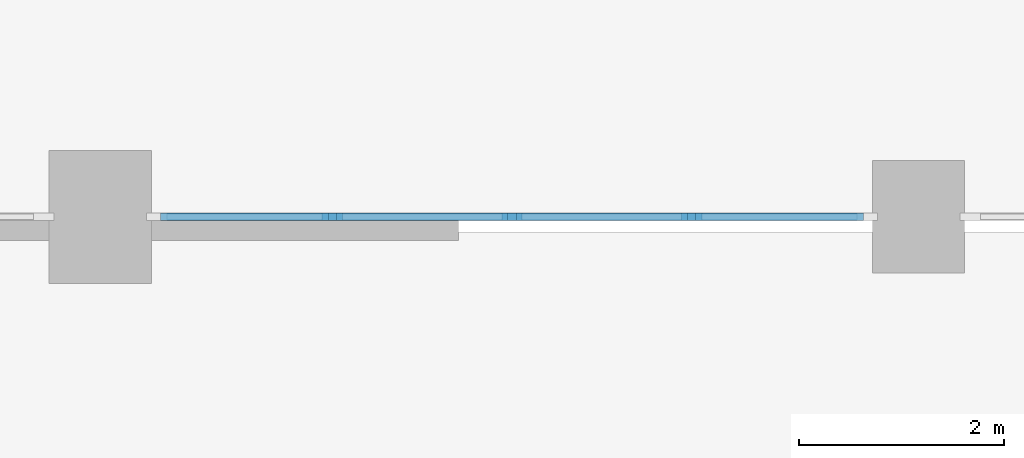
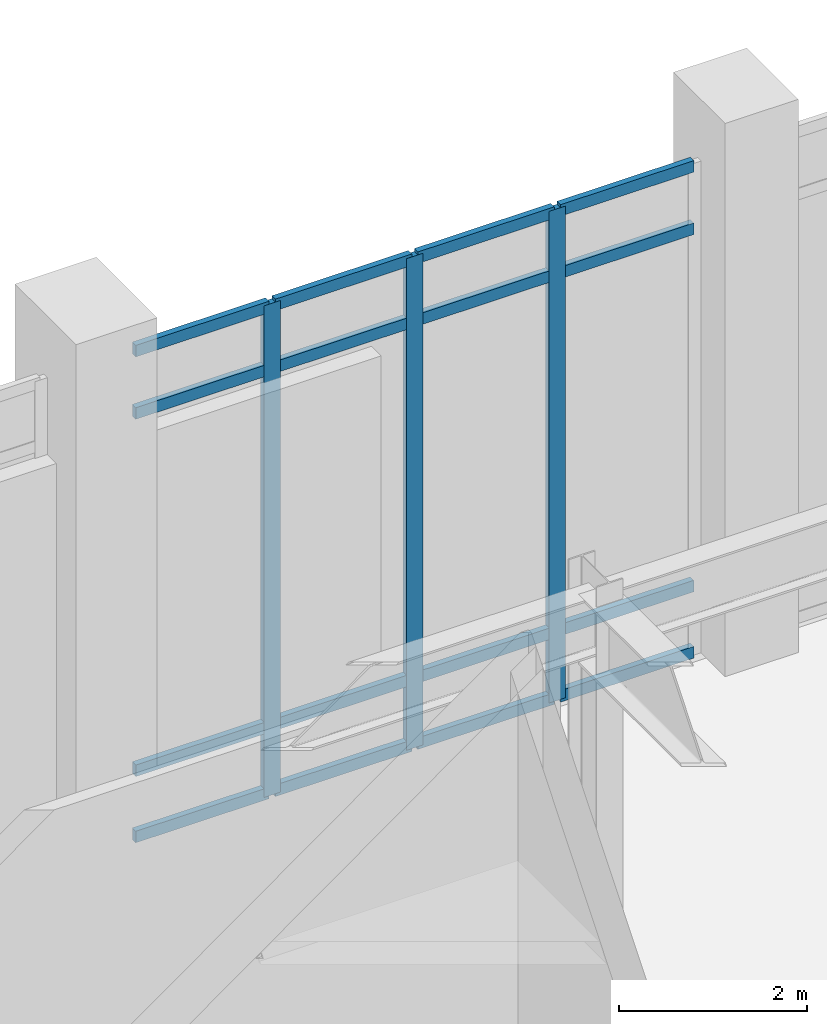
# One storey, part 32 of 84: 19 members, 1 element without a shape of its own.
"""IFC4 building model written with IfcOpenShell, lengths in metres."""

from ifc_helpers import new_model, si_unit, direction, frame, origin, origin_2d, place, context, subcontext, project, spatial, rectangle, extrude, material, layer, layer_set, material_profile, profile_set, type_object, element, aggregate, save


model = new_model("IFC4")

# Units and contexts
model_context = context("Model", 3, precision=1e-05, world=origin(), true_north=direction((0.0, 1.0)))
body_context = subcontext(model_context, "Body", "Model", "MODEL_VIEW")
ifc_project = project(units=[si_unit("LENGTHUNIT", "METRE"), si_unit("AREAUNIT", "SQUARE_METRE"), si_unit("VOLUMEUNIT", "CUBIC_METRE"), si_unit("PLANEANGLEUNIT", "RADIAN"), si_unit("MASSUNIT", "GRAM", prefix="KILO")], contexts=[model_context])

# Site, building, storey
site_placement = place(None, origin())
site = spatial("IfcSite", under=ifc_project, at=site_placement, CompositionType="ELEMENT")
building_placement = place(site_placement, origin())
building = spatial("IfcBuilding", under=site, at=building_placement, Name="Tlacozan Convention Centre", CompositionType="ELEMENT")
storey_placement = place(building_placement, frame((0.0, 0.0, 6.0)))
storey = spatial("IfcBuildingStorey", under=building, at=storey_placement, Name="L01", CompositionType="ELEMENT", Elevation=6.0)

# Curtain wall, members
ifc_material = material(Name="Dark Bronze Anodised Aluminium", Category="aluminium")
ifc_layer = layer(ifc_material, 0.199951171875)
ifc_layer_set = layer_set([ifc_layer], Name="Dark Bronze Anodised Aluminium")
curtain_wall_type = type_object("IfcCurtainWallType", Name="Exhibition Clerestory Curtain Wall CW10", PredefinedType="NOTDEFINED", material=ifc_layer_set)
curtain_wall_placement = place(storey_placement, origin())
curtain_wall = element("IfcCurtainWall", 1, at=curtain_wall_placement, inside=storey, type_object=curtain_wall_type, Name="L01 CW-10 Run 24", PredefinedType="NOTDEFINED")
ifc_material_profile_1 = material_profile(ifc_material, rectangle(XDim=0.074951171875, YDim=0.199951171875, at=origin_2d()), Name="ALU 75x200")
ifc_profile_set_1 = profile_set([ifc_material_profile_1], Name="Dark Bronze Anodised Aluminium")
member_type_1 = type_object("IfcMemberType", Name="Curtain Wall Heavy Mullion 75x200", PredefinedType="MULLION", material=ifc_profile_set_1)
member_1_placement = place(storey_placement, frame((122.27001953125, 62.0, 0.0), z_axis=(0.0, 0.0, 1.0), x_axis=(0.0, 1.0, 0.0)))
member_1 = element("IfcMember", 2, at=member_1_placement, type_object=member_type_1, Name="CW-10 mullion 2", PredefinedType="MULLION", context=body_context, shape_type="SweptSolid", body=[
    extrude(rectangle(XDim=0.074951171875, YDim=0.199951171875, at=origin_2d()), origin(), (0.0, 0.0, 1.0), 6.39990234375),
])
member_2_placement = place(storey_placement, frame((124.02490234375, 62.0, 0.0), z_axis=(0.0, 0.0, 1.0), x_axis=(0.0, 1.0, 0.0)))
member_2 = element("IfcMember", 3, at=member_2_placement, type_object=member_type_1, Name="CW-10 mullion 3", PredefinedType="MULLION", context=body_context, shape_type="SweptSolid", body=[
    extrude(rectangle(XDim=0.074951171875, YDim=0.199951171875, at=origin_2d()), origin(), (0.0, 0.0, 1.0), 6.39990234375),
])
member_3_placement = place(storey_placement, frame((125.780029296875, 62.0, 0.0), z_axis=(0.0, 0.0, 1.0), x_axis=(0.0, 1.0, 0.0)))
member_3 = element("IfcMember", 4, at=member_3_placement, type_object=member_type_1, Name="CW-10 mullion 4", PredefinedType="MULLION", context=body_context, shape_type="SweptSolid", body=[
    extrude(rectangle(XDim=0.074951171875, YDim=0.199951171875, at=origin_2d()), origin(), (0.0, 0.0, 1.0), 6.39990234375),
])
ifc_material_profile_2 = material_profile(ifc_material, rectangle(XDim=0.074951171875, YDim=0.14990234375, at=origin_2d()), Name="ALU 75x150")
ifc_profile_set_2 = profile_set([ifc_material_profile_2], Name="Dark Bronze Anodised Aluminium")
member_type_2 = type_object("IfcMemberType", Name="Curtain Wall Heavy Transom 75x150", PredefinedType="USERDEFINED", material=ifc_profile_set_2)
member_4_placement = place(storey_placement, frame((120.590087890625, 62.0, 0.03759765625), z_axis=(1.0, 0.0, 0.0), x_axis=(0.0, 1.0, 0.0)))
member_4 = element("IfcMember", 5, at=member_4_placement, type_object=member_type_2, Name="CW-10 transom 1.1", ObjectType="TRANSOM", PredefinedType="USERDEFINED", context=body_context, shape_type="SweptSolid", body=[
    extrude(rectangle(XDim=0.074951171875, YDim=0.14990234375, at=origin_2d()), origin(), (0.0, 0.0, 1.0), 1.642333984375),
])
member_5_placement = place(storey_placement, frame((120.590087890625, 62.0, 0.89990234375), z_axis=(1.0, 0.0, 0.0), x_axis=(0.0, 1.0, 0.0)))
member_5 = element("IfcMember", 6, at=member_5_placement, type_object=member_type_2, Name="CW-10 transom 1.2", ObjectType="TRANSOM", PredefinedType="USERDEFINED", context=body_context, shape_type="SweptSolid", body=[
    extrude(rectangle(XDim=0.074951171875, YDim=0.14990234375, at=origin_2d()), origin(), (0.0, 0.0, 1.0), 1.642333984375),
])
member_6_placement = place(storey_placement, frame((120.590087890625, 62.0, 5.550048828125), z_axis=(1.0, 0.0, 0.0), x_axis=(0.0, 1.0, 0.0)))
member_6 = element("IfcMember", 7, at=member_6_placement, type_object=member_type_2, Name="CW-10 transom 1.3", ObjectType="TRANSOM", PredefinedType="USERDEFINED", context=body_context, shape_type="SweptSolid", body=[
    extrude(rectangle(XDim=0.074951171875, YDim=0.14990234375, at=origin_2d()), origin(), (0.0, 0.0, 1.0), 1.642333984375),
])
member_7_placement = place(storey_placement, frame((120.590087890625, 62.0, 6.362548828125), z_axis=(1.0, 0.0, 0.0), x_axis=(0.0, 1.0, 0.0)))
member_7 = element("IfcMember", 8, at=member_7_placement, type_object=member_type_2, Name="CW-10 transom 1.4", ObjectType="TRANSOM", PredefinedType="USERDEFINED", context=body_context, shape_type="SweptSolid", body=[
    extrude(rectangle(XDim=0.074951171875, YDim=0.14990234375, at=origin_2d()), origin(), (0.0, 0.0, 1.0), 1.642333984375),
])
member_8_placement = place(storey_placement, frame((122.3076171875, 62.0, 0.03759765625), z_axis=(1.0, 0.0, 0.0), x_axis=(0.0, 1.0, 0.0)))
member_8 = element("IfcMember", 9, at=member_8_placement, type_object=member_type_2, Name="CW-10 transom 2.1", ObjectType="TRANSOM", PredefinedType="USERDEFINED", context=body_context, shape_type="SweptSolid", body=[
    extrude(rectangle(XDim=0.074951171875, YDim=0.14990234375, at=origin_2d()), origin(), (0.0, 0.0, 1.0), 1.679931640625),
])
member_9_placement = place(storey_placement, frame((122.3076171875, 62.0, 0.89990234375), z_axis=(1.0, 0.0, 0.0), x_axis=(0.0, 1.0, 0.0)))
member_9 = element("IfcMember", 10, at=member_9_placement, type_object=member_type_2, Name="CW-10 transom 2.2", ObjectType="TRANSOM", PredefinedType="USERDEFINED", context=body_context, shape_type="SweptSolid", body=[
    extrude(rectangle(XDim=0.074951171875, YDim=0.14990234375, at=origin_2d()), origin(), (0.0, 0.0, 1.0), 1.679931640625),
])
member_10_placement = place(storey_placement, frame((122.3076171875, 62.0, 5.550048828125), z_axis=(1.0, 0.0, 0.0), x_axis=(0.0, 1.0, 0.0)))
member_10 = element("IfcMember", 11, at=member_10_placement, type_object=member_type_2, Name="CW-10 transom 2.3", ObjectType="TRANSOM", PredefinedType="USERDEFINED", context=body_context, shape_type="SweptSolid", body=[
    extrude(rectangle(XDim=0.074951171875, YDim=0.14990234375, at=origin_2d()), origin(), (0.0, 0.0, 1.0), 1.679931640625),
])
member_11_placement = place(storey_placement, frame((122.3076171875, 62.0, 6.362548828125), z_axis=(1.0, 0.0, 0.0), x_axis=(0.0, 1.0, 0.0)))
member_11 = element("IfcMember", 12, at=member_11_placement, type_object=member_type_2, Name="CW-10 transom 2.4", ObjectType="TRANSOM", PredefinedType="USERDEFINED", context=body_context, shape_type="SweptSolid", body=[
    extrude(rectangle(XDim=0.074951171875, YDim=0.14990234375, at=origin_2d()), origin(), (0.0, 0.0, 1.0), 1.679931640625),
])
member_12_placement = place(storey_placement, frame((124.0625, 62.0, 0.03759765625), z_axis=(1.0, 0.0, 0.0), x_axis=(0.0, 1.0, 0.0)))
member_12 = element("IfcMember", 13, at=member_12_placement, type_object=member_type_2, Name="CW-10 transom 3.1", ObjectType="TRANSOM", PredefinedType="USERDEFINED", context=body_context, shape_type="SweptSolid", body=[
    extrude(rectangle(XDim=0.074951171875, YDim=0.14990234375, at=origin_2d()), origin(), (0.0, 0.0, 1.0), 1.679931640625),
])
member_13_placement = place(storey_placement, frame((124.0625, 62.0, 0.89990234375), z_axis=(1.0, 0.0, 0.0), x_axis=(0.0, 1.0, 0.0)))
member_13 = element("IfcMember", 14, at=member_13_placement, type_object=member_type_2, Name="CW-10 transom 3.2", ObjectType="TRANSOM", PredefinedType="USERDEFINED", context=body_context, shape_type="SweptSolid", body=[
    extrude(rectangle(XDim=0.074951171875, YDim=0.14990234375, at=origin_2d()), origin(), (0.0, 0.0, 1.0), 1.679931640625),
])
member_14_placement = place(storey_placement, frame((124.0625, 62.0, 5.550048828125), z_axis=(1.0, 0.0, 0.0), x_axis=(0.0, 1.0, 0.0)))
member_14 = element("IfcMember", 15, at=member_14_placement, type_object=member_type_2, Name="CW-10 transom 3.3", ObjectType="TRANSOM", PredefinedType="USERDEFINED", context=body_context, shape_type="SweptSolid", body=[
    extrude(rectangle(XDim=0.074951171875, YDim=0.14990234375, at=origin_2d()), origin(), (0.0, 0.0, 1.0), 1.679931640625),
])
member_15_placement = place(storey_placement, frame((124.0625, 62.0, 6.362548828125), z_axis=(1.0, 0.0, 0.0), x_axis=(0.0, 1.0, 0.0)))
member_15 = element("IfcMember", 16, at=member_15_placement, type_object=member_type_2, Name="CW-10 transom 3.4", ObjectType="TRANSOM", PredefinedType="USERDEFINED", context=body_context, shape_type="SweptSolid", body=[
    extrude(rectangle(XDim=0.074951171875, YDim=0.14990234375, at=origin_2d()), origin(), (0.0, 0.0, 1.0), 1.679931640625),
])
member_16_placement = place(storey_placement, frame((125.8173828125, 62.0, 0.03759765625), z_axis=(1.0, 0.0, 0.0), x_axis=(0.0, 1.0, 0.0)))
member_16 = element("IfcMember", 17, at=member_16_placement, type_object=member_type_2, Name="CW-10 transom 4.1", ObjectType="TRANSOM", PredefinedType="USERDEFINED", context=body_context, shape_type="SweptSolid", body=[
    extrude(rectangle(XDim=0.074951171875, YDim=0.14990234375, at=origin_2d()), origin(), (0.0, 0.0, 1.0), 1.642578125),
])
member_17_placement = place(storey_placement, frame((125.8173828125, 62.0, 0.89990234375), z_axis=(1.0, 0.0, 0.0), x_axis=(0.0, 1.0, 0.0)))
member_17 = element("IfcMember", 18, at=member_17_placement, type_object=member_type_2, Name="CW-10 transom 4.2", ObjectType="TRANSOM", PredefinedType="USERDEFINED", context=body_context, shape_type="SweptSolid", body=[
    extrude(rectangle(XDim=0.074951171875, YDim=0.14990234375, at=origin_2d()), origin(), (0.0, 0.0, 1.0), 1.642578125),
])
member_18_placement = place(storey_placement, frame((125.8173828125, 62.0, 5.550048828125), z_axis=(1.0, 0.0, 0.0), x_axis=(0.0, 1.0, 0.0)))
member_18 = element("IfcMember", 19, at=member_18_placement, type_object=member_type_2, Name="CW-10 transom 4.3", ObjectType="TRANSOM", PredefinedType="USERDEFINED", context=body_context, shape_type="SweptSolid", body=[
    extrude(rectangle(XDim=0.074951171875, YDim=0.14990234375, at=origin_2d()), origin(), (0.0, 0.0, 1.0), 1.642578125),
])
member_19_placement = place(storey_placement, frame((125.8173828125, 62.0, 6.362548828125), z_axis=(1.0, 0.0, 0.0), x_axis=(0.0, 1.0, 0.0)))
member_19 = element("IfcMember", 20, at=member_19_placement, type_object=member_type_2, Name="CW-10 transom 4.4", ObjectType="TRANSOM", PredefinedType="USERDEFINED", context=body_context, shape_type="SweptSolid", body=[
    extrude(rectangle(XDim=0.074951171875, YDim=0.14990234375, at=origin_2d()), origin(), (0.0, 0.0, 1.0), 1.642578125),
])
aggregate(curtain_wall, [member_1, member_2, member_3, member_4, member_5, member_6, member_7, member_8, member_9, member_10, member_11, member_12, member_13, member_14, member_15, member_16, member_17, member_18, member_19])

save(model, "model.ifc")
